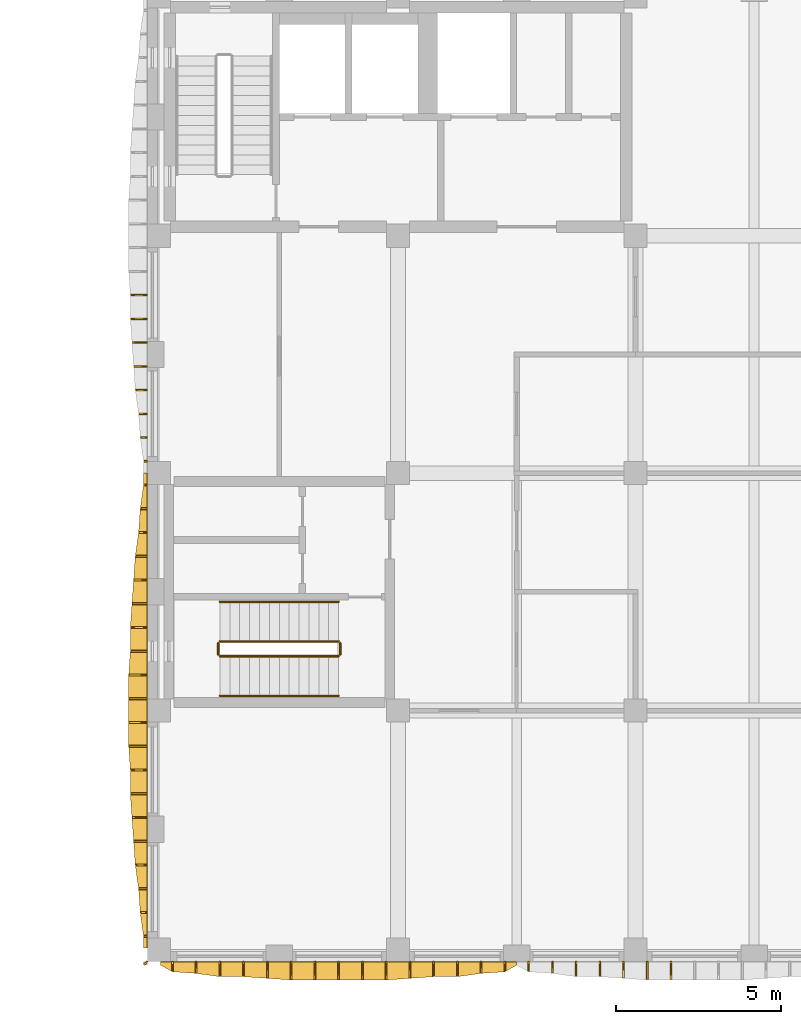
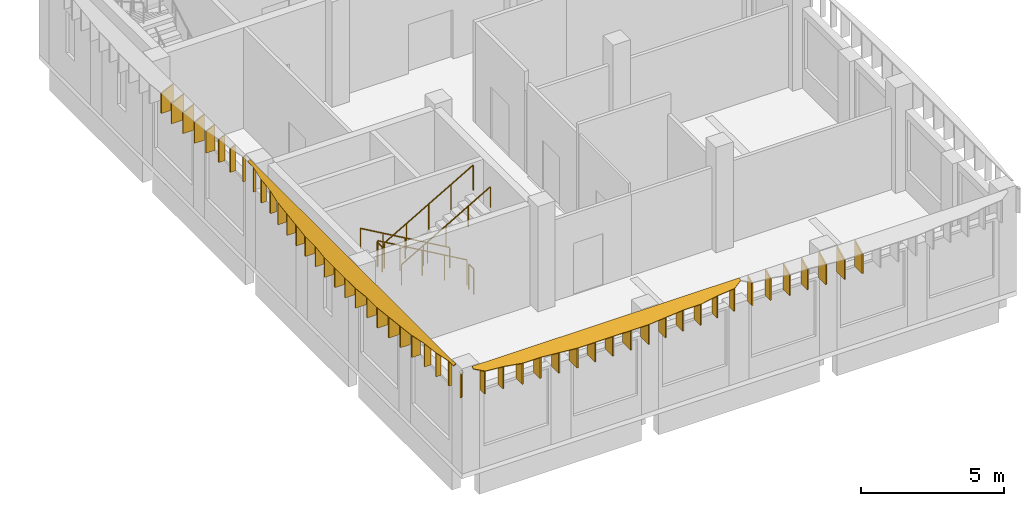
# One storey, part 20 of 38: 53 shading devices, 6 railings.
"""IFC4 building model written with IfcOpenShell, lengths in metres."""

import ifcopenshell
import ifcopenshell.guid

model = None  # the IFC model being written
_history = None  # IfcOwnerHistory: only IFC2X3 demands one
_inside = {}  # id of a spatial element -> (the spatial element, [elements in it])
_under = {}  # id of a project, library or spatial element -> (it, [spatial elements below it])
_declared = {}  # id of a project -> (the project, [libraries it declares])
_typed = {}  # id of a type object -> (the type object, [elements of that type])
_made_of = {}  # id of a material, layer set ... -> (it, [elements and type objects made of it])


def new_model(schema):
    """Start an empty IFC model of exactly this schema.

    Asked for "IFC4X3", IfcOpenShell would pick the latest addendum, in which some entities
    have other attributes; the version numbers below select the first issue.
    IFC2X3 requires an IfcOwnerHistory on every rooted entity: one is made here for all.
    """
    global model, _history
    if schema == "IFC4X3":
        model = ifcopenshell.file(schema_version=(4, 3, 0, 0))
    else:
        model = ifcopenshell.file(schema=schema)
    _inside.clear()
    _under.clear()
    _declared.clear()
    _typed.clear()
    _made_of.clear()
    _history = None
    if model.schema == "IFC2X3":
        org = make("IfcOrganization", Name="unknown")
        user = make(
            "IfcPersonAndOrganization",
            ThePerson=make("IfcPerson", FamilyName="unknown"),
            TheOrganization=org,
        )
        app = make(
            "IfcApplication",
            ApplicationDeveloper=org,
            Version="unknown",
            ApplicationFullName="unknown",
            ApplicationIdentifier="unknown",
        )
        _history = make(
            "IfcOwnerHistory",
            OwningUser=user,
            OwningApplication=app,
            ChangeAction="ADDED",
            CreationDate=0,
        )
    return model


def make(cls, **values):
    """One entity of the class cls with the attributes given. An attribute that is None is left unset."""
    return model.create_entity(
        cls, **{name: value for name, value in values.items() if value is not None}
    )


def rooted(cls, **values):
    """An entity with a GlobalId (a new one), such as an element, a storey or a relation."""
    return make(cls, GlobalId=ifcopenshell.guid.new(), OwnerHistory=_history, **values)


def si_unit(unit_type, name, prefix=None):
    """IfcSIUnit, for example si_unit("LENGTHUNIT", "METRE", prefix="MILLI")."""
    return make("IfcSIUnit", UnitType=unit_type, Prefix=prefix, Name=name)


def assignment(units):
    """IfcUnitAssignment: the units of a project."""
    return None if units is None else make("IfcUnitAssignment", Units=units)


def point(xyz):
    """IfcCartesianPoint."""
    return None if xyz is None else make("IfcCartesianPoint", Coordinates=xyz)


def direction(xyz):
    """IfcDirection."""
    return None if xyz is None else make("IfcDirection", DirectionRatios=xyz)


def frame(location, z_axis=None, x_axis=None):
    """IfcAxis2Placement3D, a coordinate frame: its origin and axes. An axis left out is left unset."""
    return make(
        "IfcAxis2Placement3D",
        Location=point(location),
        Axis=direction(z_axis),
        RefDirection=direction(x_axis),
    )


def frame_2d(location, x_axis=None):
    """IfcAxis2Placement2D, a coordinate frame in the plane: its origin and x axis."""
    return make(
        "IfcAxis2Placement2D", Location=point(location), RefDirection=direction(x_axis)
    )


def origin():
    """The frame at (0, 0, 0) with its axes left unset."""
    return frame((0.0, 0.0, 0.0))


def origin_2d():
    """The frame at (0, 0) in the plane with its x axis left unset."""
    return frame_2d((0.0, 0.0))


def place(relative_to, where):
    """IfcLocalPlacement: puts the frame where relative to a parent placement (None: the world)."""
    return make(
        "IfcLocalPlacement", PlacementRelTo=relative_to, RelativePlacement=where
    )


def context(
    kind, dimensions, precision=None, world=None, true_north=None, identifier=None
):
    """IfcGeometricRepresentationContext, for example the 3D "Model" context."""
    return make(
        "IfcGeometricRepresentationContext",
        ContextIdentifier=identifier,
        ContextType=kind,
        CoordinateSpaceDimension=dimensions,
        Precision=precision,
        WorldCoordinateSystem=world,
        TrueNorth=true_north,
    )


def subcontext(parent, identifier, kind, view, scale=None):
    """IfcGeometricRepresentationSubContext, for example "Body" below "Model"."""
    return make(
        "IfcGeometricRepresentationSubContext",
        ContextIdentifier=identifier,
        ContextType=kind,
        ParentContext=parent,
        TargetScale=scale,
        TargetView=view,
    )


def project(units=None, contexts=None):
    """IfcProject with its units and contexts."""
    return rooted(
        "IfcProject",
        Name="project",
        RepresentationContexts=contexts,
        UnitsInContext=assignment(units),
    )


def spatial(cls, under=None, at=None, **own):
    """A site, building, storey or space (cls), placed at a placement, below another one or the project."""
    s = rooted(cls, ObjectPlacement=at, **own)
    if under is not None:
        _under.setdefault(under.id(), (under, []))[1].append(s)
    return s


def polyline(points):
    """IfcPolyline through the points."""
    return make("IfcPolyline", Points=[point(p) for p in points])


def profile(cls, at=None, kind="AREA", **sizes):
    """A parametric profile (cls). Its sizes go by their IFC names, for example OverallWidth=200.0."""
    return make(cls, ProfileType=kind, Position=at, **sizes)


def circle(**sizes):
    """IfcCircleProfileDef."""
    return profile("IfcCircleProfileDef", **sizes)


def outline(outer, holes=None, kind="AREA"):
    """IfcArbitraryClosedProfileDef: a profile drawn as a closed curve; with holes, ...WithVoids."""
    if holes is None:
        return make("IfcArbitraryClosedProfileDef", ProfileType=kind, OuterCurve=outer)
    return make(
        "IfcArbitraryProfileDefWithVoids",
        ProfileType=kind,
        OuterCurve=outer,
        InnerCurves=holes,
    )


def extrude(swept, where, along, depth):
    """IfcExtrudedAreaSolid: the profile swept, set in the frame where, extruded along a direction by depth."""
    return make(
        "IfcExtrudedAreaSolid",
        SweptArea=swept,
        Position=where,
        ExtrudedDirection=direction(along),
        Depth=depth,
    )


def shape(context_of_items, identifier, shape_type, items):
    """IfcShapeRepresentation: the items that make up one representation, for example the "Body"."""
    return make(
        "IfcShapeRepresentation",
        ContextOfItems=context_of_items,
        RepresentationIdentifier=identifier,
        RepresentationType=shape_type,
        Items=items,
    )


def material(Name=None, Category=None):
    """IfcMaterial."""
    return make("IfcMaterial", Name=Name, Category=Category)


def layer(
    of_material, thickness, ventilated=None, Name=None, Category=None, Priority=None
):
    """IfcMaterialLayer: one layer of a wall or slab, of a material (None: an air gap)."""
    return make(
        "IfcMaterialLayer",
        Material=of_material,
        LayerThickness=thickness,
        IsVentilated=ventilated,
        Name=Name,
        Category=Category,
        Priority=Priority,
    )


def layer_set(layers, Name=None):
    """IfcMaterialLayerSet."""
    return make("IfcMaterialLayerSet", MaterialLayers=layers, LayerSetName=Name)


def made_of(thing, what):
    """Note that an element or type object is made of a material, layer set ...; save() writes the relation."""
    if what is not None:
        _made_of.setdefault(what.id(), (what, []))[1].append(thing)
    return thing


def type_object(cls, material=None, **own):
    """A type object (cls), such as IfcWallType, which elements share."""
    return made_of(rooted(cls, **own), material)


def element(
    cls,
    number,
    at=None,
    inside=None,
    cuts=None,
    type_object=None,
    material=None,
    context=None,
    identifier="Body",
    shape_type=None,
    held_by="IfcProductDefinitionShape",
    body=None,
    shapes=None,
    **own,
):
    """One element of the class cls, such as IfcWall. Its Tag is "e" and its number.

    at: its placement. inside: the storey or other place that contains it. cuts: it is an
    opening in that element (IfcRelVoidsElement). A single representation is given by context,
    identifier, shape_type and body (its items); several are given by shapes. held_by: the class
    of the entity that holds the representations. save() writes the other relations.
    """
    e = rooted(cls, Tag="e%d" % number, ObjectPlacement=at, **own)
    if body is not None:
        shapes = [shape(context, identifier, shape_type, body)]
    if shapes is not None:
        e.Representation = make(held_by, Representations=shapes)
    if inside is not None:
        _inside.setdefault(inside.id(), (inside, []))[1].append(e)
    if cuts is not None:
        rooted(
            "IfcRelVoidsElement", RelatingBuildingElement=cuts, RelatedOpeningElement=e
        )
    if type_object is not None:
        _typed.setdefault(type_object.id(), (type_object, []))[1].append(e)
    return made_of(e, material)


def aggregate(whole, parts):
    """IfcRelAggregates: a whole, such as a stair, and the parts it consists of."""
    return rooted("IfcRelAggregates", RelatingObject=whole, RelatedObjects=parts)


def save(model, path):
    """Write the relations noted so far, then the file.

    IfcRelAggregates (storeys below a building ...), IfcRelContainedInSpatialStructure (elements
    in a storey), IfcRelDefinesByType, IfcRelAssociatesMaterial and IfcRelDeclares: one each for
    every whole, place, type object, material and project.
    """
    for whole, parts in _under.values():
        aggregate(whole, parts)
    for where, things in _inside.values():
        rooted(
            "IfcRelContainedInSpatialStructure",
            RelatedElements=things,
            RelatingStructure=where,
        )
    for kind, things in _typed.values():
        rooted("IfcRelDefinesByType", RelatedObjects=things, RelatingType=kind)
    for what, things in _made_of.values():
        rooted("IfcRelAssociatesMaterial", RelatedObjects=things, RelatingMaterial=what)
    for by, libraries in _declared.values():
        rooted("IfcRelDeclares", RelatingContext=by, RelatedDefinitions=libraries)
    model.write(path)


model = new_model("IFC4")

# Units and contexts
model_context = context("Model", 3, precision=1e-05, world=origin(), true_north=direction((0.0, 1.0)))
body_context = subcontext(model_context, "Body", "Model", "MODEL_VIEW")
ifc_project = project(units=[si_unit("LENGTHUNIT", "METRE"), si_unit("AREAUNIT", "SQUARE_METRE"), si_unit("VOLUMEUNIT", "CUBIC_METRE"), si_unit("PLANEANGLEUNIT", "RADIAN"), si_unit("MASSUNIT", "GRAM", prefix="KILO")], contexts=[model_context])

# Site, building, storey
site_placement = place(None, origin())
site = spatial("IfcSite", under=ifc_project, at=site_placement, CompositionType="ELEMENT")
building_placement = place(site_placement, origin())
building = spatial("IfcBuilding", under=site, at=building_placement, Name="Ussher Court Research Institute", CompositionType="ELEMENT")
storey_placement = place(building_placement, frame((0.0, 0.0, 23.39990234375)))
storey = spatial("IfcBuildingStorey", under=building, at=storey_placement, Name="L05", CompositionType="ELEMENT", Elevation=23.39990234375)

# Shading devices
ifc_material_1 = material(Name="Bronze anodised aluminium", Category="aluminium")
ifc_layer_1 = layer(ifc_material_1, 0.050048828125)
ifc_layer_set_1 = layer_set([ifc_layer_1], Name="Bronze anodised aluminium")
shading_device_type_1 = type_object("IfcShadingDeviceType", Name="Brim blade 100 mm deep 1100 mm high canted 26 deg wet", PredefinedType="USERDEFINED", material=ifc_layer_set_1)
for number, where, z_axis, x_axis, name in (
    (1, (81.800048828125, 4.360107421875, 3.35009765625), (0.0, 0.0, 1.0), (-1.0, 0.0, 0.0), "Brim blade BS10 L05"),
    (2, (81.800048828125, 18.0400390625, 3.35009765625), (0.0, 0.0, 1.0), (-1.0, 0.0, 0.0), "Brim blade BS10 L05"),
    (3, (81.800048828125, 18.760009765625, 3.35009765625), (0.0, 0.0, 1.0), (-1.0, 0.0, 0.0), "Brim blade BS10 L05"),
):
    element("IfcShadingDevice", number, at=place(storey_placement, frame(where, z_axis=z_axis, x_axis=x_axis)), inside=storey, type_object=shading_device_type_1, Name=name, ObjectType="BLADE", PredefinedType="USERDEFINED", context=body_context, shape_type="SweptSolid", body=[
        extrude(outline(polyline([(0.0, 0.0), (0.10009765625, 0.0), (0.10009765625, 1.05126953125), (0.0, 1.10009765625), (0.0, 0.0)])), frame((0.0, 0.02490234375, 0.0), z_axis=(0.0, -1.0, 0.0), x_axis=(1.0, 0.0, 0.0)), (0.0, 0.0, 1.0), 0.050048828125),
    ])
ifc_material_2 = material(Name="Bronze anodised aluminium", Category="aluminium")
ifc_layer_2 = layer(ifc_material_2, 0.050048828125)
ifc_layer_set_2 = layer_set([ifc_layer_2], Name="Bronze anodised aluminium")
shading_device_type_2 = type_object("IfcShadingDeviceType", Name="Brim blade 200 mm deep 1100 mm high canted 26 deg wet", PredefinedType="USERDEFINED", material=ifc_layer_set_2)
for number, where, z_axis, x_axis, name in (
    (4, (81.800048828125, 5.080078125, 3.35009765625), (0.0, 0.0, 1.0), (-1.0, 0.0, 0.0), "Brim blade BS08 L05"),
    (5, (81.800048828125, 17.320068359375, 3.35009765625), (0.0, 0.0, 1.0), (-1.0, 0.0, 0.0), "Brim blade BS08 L05"),
    (6, (81.800048828125, 19.47998046875, 3.35009765625), (0.0, 0.0, 1.0), (-1.0, 0.0, 0.0), "Brim blade BS08 L05"),
):
    element("IfcShadingDevice", number, at=place(storey_placement, frame(where, z_axis=z_axis, x_axis=x_axis)), inside=storey, type_object=shading_device_type_2, Name=name, ObjectType="BLADE", PredefinedType="USERDEFINED", context=body_context, shape_type="SweptSolid", body=[
        extrude(outline(polyline([(0.0, 0.0), (0.199951171875, 0.0), (0.199951171875, 1.00244140625), (0.0, 1.10009765625), (0.0, 0.0)])), frame((0.0, 0.02490234375, 0.0), z_axis=(0.0, -1.0, 0.0), x_axis=(1.0, 0.0, 0.0)), (0.0, 0.0, 1.0), 0.050048828125),
    ])
ifc_material_3 = material(Name="Bronze anodised aluminium", Category="aluminium")
ifc_layer_3 = layer(ifc_material_3, 0.050048828125)
ifc_layer_set_3 = layer_set([ifc_layer_3], Name="Bronze anodised aluminium")
shading_device_type_3 = type_object("IfcShadingDeviceType", Name="Brim blade 250 mm deep 1100 mm high canted 26 deg wet", PredefinedType="USERDEFINED", material=ifc_layer_set_3)
for number, where, z_axis, x_axis, name in (
    (7, (81.800048828125, 5.800048828125, 3.35009765625), (0.0, 0.0, 1.0), (-1.0, 0.0, 0.0), "Brim blade BS07 L05"),
    (8, (81.800048828125, 16.60009765625, 3.35009765625), (0.0, 0.0, 1.0), (-1.0, 0.0, 0.0), "Brim blade BS07 L05"),
    (9, (81.800048828125, 20.199951171875, 3.35009765625), (0.0, 0.0, 1.0), (-1.0, 0.0, 0.0), "Brim blade BS07 L05"),
):
    element("IfcShadingDevice", number, at=place(storey_placement, frame(where, z_axis=z_axis, x_axis=x_axis)), inside=storey, type_object=shading_device_type_3, Name=name, ObjectType="BLADE", PredefinedType="USERDEFINED", context=body_context, shape_type="SweptSolid", body=[
        extrude(outline(polyline([(0.0, 0.0), (0.25, 0.0), (0.25, 0.97802734375), (0.0, 1.10009765625), (0.0, 0.0)])), frame((0.0, 0.02490234375, 0.0), z_axis=(0.0, -1.0, 0.0), x_axis=(1.0, 0.0, 0.0)), (0.0, 0.0, 1.0), 0.050048828125),
    ])
ifc_material_4 = material(Name="Bronze anodised aluminium", Category="aluminium")
ifc_layer_4 = layer(ifc_material_4, 0.050048828125)
ifc_layer_set_4 = layer_set([ifc_layer_4], Name="Bronze anodised aluminium")
shading_device_type_4 = type_object("IfcShadingDeviceType", Name="Brim blade 300 mm deep 1100 mm high canted 26 deg wet", PredefinedType="USERDEFINED", material=ifc_layer_set_4)
for number, where, z_axis, x_axis, name in (
    (10, (93.360107421875, 3.60009765625, 3.35009765625), (0.0, 0.0, 1.0), (0.0, -1.0, 0.0), "Brim blade BS06 L05"),
    (11, (92.639892578125, 3.60009765625, 3.35009765625), (0.0, 0.0, 1.0), (0.0, -1.0, 0.0), "Brim blade BS06 L05"),
    (12, (82.56005859375, 3.60009765625, 3.35009765625), (0.0, 0.0, 1.0), (0.0, -1.0, 0.0), "Brim blade BS06 L05"),
):
    element("IfcShadingDevice", number, at=place(storey_placement, frame(where, z_axis=z_axis, x_axis=x_axis)), inside=storey, type_object=shading_device_type_4, Name=name, ObjectType="BLADE", PredefinedType="USERDEFINED", context=body_context, shape_type="SweptSolid", body=[
        extrude(outline(polyline([(0.0, 0.0), (0.300048828125, 0.0), (0.300048828125, 0.95361328125), (0.0, 1.10009765625), (0.0, 0.0)])), frame((0.0, 0.02490234375, 0.0), z_axis=(0.0, -1.0, 0.0), x_axis=(1.0, 0.0, 0.0)), (0.0, 0.0, 1.0), 0.050048828125),
    ])
ifc_material_5 = material(Name="Bronze anodised aluminium", Category="aluminium")
ifc_layer_5 = layer(ifc_material_5, 0.050048828125)
ifc_layer_set_5 = layer_set([ifc_layer_5], Name="Bronze anodised aluminium")
shading_device_type_5 = type_object("IfcShadingDeviceType", Name="Brim blade 350 mm deep 1100 mm high canted 26 deg wet", PredefinedType="USERDEFINED", material=ifc_layer_set_5)
for number, where, z_axis, x_axis, name in (
    (13, (94.080078125, 3.60009765625, 3.35009765625), (0.0, 0.0, 1.0), (0.0, -1.0, 0.0), "Brim blade BS05 L05"),
    (14, (91.919921875, 3.60009765625, 3.35009765625), (0.0, 0.0, 1.0), (0.0, -1.0, 0.0), "Brim blade BS05 L05"),
    (15, (83.280029296875, 3.60009765625, 3.35009765625), (0.0, 0.0, 1.0), (0.0, -1.0, 0.0), "Brim blade BS05 L05"),
    (16, (81.800048828125, 6.52001953125, 3.35009765625), (0.0, 0.0, 1.0), (-1.0, 0.0, 0.0), "Brim blade BS05 L05"),
    (17, (81.800048828125, 15.8798828125, 3.35009765625), (0.0, 0.0, 1.0), (-1.0, 0.0, 0.0), "Brim blade BS05 L05"),
    (18, (81.800048828125, 20.919921875, 3.35009765625), (0.0, 0.0, 1.0), (-1.0, 0.0, 0.0), "Brim blade BS05 L05"),
):
    element("IfcShadingDevice", number, at=place(storey_placement, frame(where, z_axis=z_axis, x_axis=x_axis)), inside=storey, type_object=shading_device_type_5, Name=name, ObjectType="BLADE", PredefinedType="USERDEFINED", context=body_context, shape_type="SweptSolid", body=[
        extrude(outline(polyline([(0.0, 0.0), (0.35009765625, 0.0), (0.35009765625, 0.92919921875), (0.0, 1.10009765625), (0.0, 0.0)])), frame((0.0, 0.02490234375, 0.0), z_axis=(0.0, -1.0, 0.0), x_axis=(1.0, 0.0, 0.0)), (0.0, 0.0, 1.0), 0.050048828125),
    ])
ifc_material_6 = material(Name="Bronze anodised aluminium", Category="aluminium")
ifc_layer_6 = layer(ifc_material_6, 0.050048828125)
ifc_layer_set_6 = layer_set([ifc_layer_6], Name="Bronze anodised aluminium")
shading_device_type_6 = type_object("IfcShadingDeviceType", Name="Brim blade 400 mm deep 1100 mm high canted 26 deg wet", PredefinedType="USERDEFINED", material=ifc_layer_set_6)
for number, where, z_axis, x_axis, name in (
    (19, (81.800048828125, 7.239990234375, 3.35009765625), (0.0, 0.0, 1.0), (-1.0, 0.0, 0.0), "Brim blade BS04 L05"),
    (20, (81.800048828125, 15.159912109375, 3.35009765625), (0.0, 0.0, 1.0), (-1.0, 0.0, 0.0), "Brim blade BS04 L05"),
    (21, (81.800048828125, 21.639892578125, 3.35009765625), (0.0, 0.0, 1.0), (-1.0, 0.0, 0.0), "Brim blade BS04 L05"),
):
    element("IfcShadingDevice", number, at=place(storey_placement, frame(where, z_axis=z_axis, x_axis=x_axis)), inside=storey, type_object=shading_device_type_6, Name=name, ObjectType="BLADE", PredefinedType="USERDEFINED", context=body_context, shape_type="SweptSolid", body=[
        extrude(outline(polyline([(0.0, 0.0), (0.400146484375, 0.0), (0.39990234375, 0.90478515625), (0.0, 1.10009765625), (0.0, 0.0)])), frame((0.0, 0.02490234375, 0.0), z_axis=(0.0, -1.0, 0.0), x_axis=(1.0, 0.0, 0.0)), (0.0, 0.0, 1.0), 0.050048828125),
    ])
ifc_material_7 = material(Name="Bronze anodised aluminium", Category="aluminium")
ifc_layer_7 = layer(ifc_material_7, 0.050048828125)
ifc_layer_set_7 = layer_set([ifc_layer_7], Name="Bronze anodised aluminium")
shading_device_type_7 = type_object("IfcShadingDeviceType", Name="Brim blade 450 mm deep 1100 mm high canted 26 deg wet", PredefinedType="USERDEFINED", material=ifc_layer_set_7)
for number, where, z_axis, x_axis, name in (
    (22, (95.52001953125, 3.60009765625, 3.35009765625), (0.0, 0.0, 1.0), (0.0, -1.0, 0.0), "Brim blade BS03 L05"),
    (23, (94.800048828125, 3.60009765625, 3.35009765625), (0.0, 0.0, 1.0), (0.0, -1.0, 0.0), "Brim blade BS03 L05"),
    (24, (91.199951171875, 3.60009765625, 3.35009765625), (0.0, 0.0, 1.0), (0.0, -1.0, 0.0), "Brim blade BS03 L05"),
    (25, (90.47998046875, 3.60009765625, 3.35009765625), (0.0, 0.0, 1.0), (0.0, -1.0, 0.0), "Brim blade BS03 L05"),
    (26, (84.719970703125, 3.60009765625, 3.35009765625), (0.0, 0.0, 1.0), (0.0, -1.0, 0.0), "Brim blade BS03 L05"),
    (27, (84.0, 3.60009765625, 3.35009765625), (0.0, 0.0, 1.0), (0.0, -1.0, 0.0), "Brim blade BS03 L05"),
):
    element("IfcShadingDevice", number, at=place(storey_placement, frame(where, z_axis=z_axis, x_axis=x_axis)), inside=storey, type_object=shading_device_type_7, Name=name, ObjectType="BLADE", PredefinedType="USERDEFINED", context=body_context, shape_type="SweptSolid", body=[
        extrude(outline(polyline([(0.0, 0.0), (0.4501953125, 0.0), (0.449951171875, 0.880615234375), (0.0, 1.10009765625), (0.0, 0.0)])), frame((0.0, 0.02490234375, 0.0), z_axis=(0.0, -1.0, 0.0), x_axis=(1.0, 0.0, 0.0)), (0.0, 0.0, 1.0), 0.050048828125),
    ])
for number, where, z_axis, x_axis, name in (
    (28, (81.800048828125, 7.9599609375, 3.35009765625), (0.0, 0.0, 1.0), (-1.0, 0.0, 0.0), "Brim blade BS03 L05"),
    (29, (81.800048828125, 14.43994140625, 3.35009765625), (0.0, 0.0, 1.0), (-1.0, 0.0, 0.0), "Brim blade BS03 L05"),
    (30, (81.800048828125, 22.360107421875, 3.35009765625), (0.0, 0.0, 1.0), (-1.0, 0.0, 0.0), "Brim blade BS03 L05"),
):
    element("IfcShadingDevice", number, at=place(storey_placement, frame(where, z_axis=z_axis, x_axis=x_axis)), inside=storey, type_object=shading_device_type_7, Name=name, ObjectType="BLADE", PredefinedType="USERDEFINED", context=body_context, shape_type="SweptSolid", body=[
        extrude(outline(polyline([(0.0, 0.0), (0.449951171875, 0.0), (0.449951171875, 0.880615234375), (0.0, 1.10009765625), (0.0, 0.0)])), frame((0.0, 0.02490234375, 0.0), z_axis=(0.0, -1.0, 0.0), x_axis=(1.0, 0.0, 0.0)), (0.0, 0.0, 1.0), 0.050048828125),
    ])
ifc_material_8 = material(Name="Bronze anodised aluminium", Category="aluminium")
ifc_layer_8 = layer(ifc_material_8, 0.050048828125)
ifc_layer_set_8 = layer_set([ifc_layer_8], Name="Bronze anodised aluminium")
shading_device_type_8 = type_object("IfcShadingDeviceType", Name="Brim blade 500 mm deep 1100 mm high canted 26 deg wet", PredefinedType="USERDEFINED", material=ifc_layer_set_8)
for number, where, z_axis, x_axis, name in (
    (31, (96.239990234375, 3.60009765625, 3.35009765625), (0.0, 0.0, 1.0), (0.0, -1.0, 0.0), "Brim blade BS02 L05"),
    (32, (89.760009765625, 3.60009765625, 3.35009765625), (0.0, 0.0, 1.0), (0.0, -1.0, 0.0), "Brim blade BS02 L05"),
    (33, (85.43994140625, 3.60009765625, 3.35009765625), (0.0, 0.0, 1.0), (0.0, -1.0, 0.0), "Brim blade BS02 L05"),
    (34, (81.800048828125, 8.679931640625, 3.35009765625), (0.0, 0.0, 1.0), (-1.0, 0.0, 0.0), "Brim blade BS02 L05"),
    (35, (81.800048828125, 9.39990234375, 3.35009765625), (0.0, 0.0, 1.0), (-1.0, 0.0, 0.0), "Brim blade BS02 L05"),
    (36, (81.800048828125, 13.0, 3.35009765625), (0.0, 0.0, 1.0), (-1.0, 0.0, 0.0), "Brim blade BS02 L05"),
    (37, (81.800048828125, 13.719970703125, 3.35009765625), (0.0, 0.0, 1.0), (-1.0, 0.0, 0.0), "Brim blade BS02 L05"),
    (38, (81.800048828125, 23.080078125, 3.35009765625), (0.0, 0.0, 1.0), (-1.0, 0.0, 0.0), "Brim blade BS02 L05"),
    (39, (81.800048828125, 23.800048828125, 3.35009765625), (0.0, 0.0, 1.0), (-1.0, 0.0, 0.0), "Brim blade BS02 L05"),
):
    element("IfcShadingDevice", number, at=place(storey_placement, frame(where, z_axis=z_axis, x_axis=x_axis)), inside=storey, type_object=shading_device_type_8, Name=name, ObjectType="BLADE", PredefinedType="USERDEFINED", context=body_context, shape_type="SweptSolid", body=[
        extrude(outline(polyline([(0.0, 0.0), (0.5, 0.0), (0.5, 0.856201171875), (0.0, 1.10009765625), (0.0, 0.0)])), frame((0.0, 0.02490234375, 0.0), z_axis=(0.0, -1.0, 0.0), x_axis=(1.0, 0.0, 0.0)), (0.0, 0.0, 1.0), 0.050048828125),
    ])
ifc_material_9 = material(Name="Bronze anodised aluminium", Category="aluminium")
ifc_layer_9 = layer(ifc_material_9, 0.050048828125)
ifc_layer_set_9 = layer_set([ifc_layer_9], Name="Bronze anodised aluminium")
shading_device_type_9 = type_object("IfcShadingDeviceType", Name="Brim blade 550 mm deep 1100 mm high canted 26 deg wet", PredefinedType="USERDEFINED", material=ifc_layer_set_9)
for number, where, z_axis, x_axis, name in (
    (40, (97.679931640625, 3.60009765625, 3.35009765625), (0.0, 0.0, 1.0), (0.0, -1.0, 0.0), "Brim blade BS01 L05"),
    (41, (96.9599609375, 3.60009765625, 3.35009765625), (0.0, 0.0, 1.0), (0.0, -1.0, 0.0), "Brim blade BS01 L05"),
    (42, (89.0400390625, 3.60009765625, 3.35009765625), (0.0, 0.0, 1.0), (0.0, -1.0, 0.0), "Brim blade BS01 L05"),
    (43, (88.320068359375, 3.60009765625, 3.35009765625), (0.0, 0.0, 1.0), (0.0, -1.0, 0.0), "Brim blade BS01 L05"),
    (44, (87.60009765625, 3.60009765625, 3.35009765625), (0.0, 0.0, 1.0), (0.0, -1.0, 0.0), "Brim blade BS01 L05"),
    (45, (86.8798828125, 3.60009765625, 3.35009765625), (0.0, 0.0, 1.0), (0.0, -1.0, 0.0), "Brim blade BS01 L05"),
    (46, (86.159912109375, 3.60009765625, 3.35009765625), (0.0, 0.0, 1.0), (0.0, -1.0, 0.0), "Brim blade BS01 L05"),
    (47, (81.800048828125, 10.1201171875, 3.35009765625), (0.0, 0.0, 1.0), (-1.0, 0.0, 0.0), "Brim blade BS01 L05"),
    (48, (81.800048828125, 10.840087890625, 3.35009765625), (0.0, 0.0, 1.0), (-1.0, 0.0, 0.0), "Brim blade BS01 L05"),
    (49, (81.800048828125, 11.56005859375, 3.35009765625), (0.0, 0.0, 1.0), (-1.0, 0.0, 0.0), "Brim blade BS01 L05"),
    (50, (81.800048828125, 12.280029296875, 3.35009765625), (0.0, 0.0, 1.0), (-1.0, 0.0, 0.0), "Brim blade BS01 L05"),
):
    element("IfcShadingDevice", number, at=place(storey_placement, frame(where, z_axis=z_axis, x_axis=x_axis)), inside=storey, type_object=shading_device_type_9, Name=name, ObjectType="BLADE", PredefinedType="USERDEFINED", context=body_context, shape_type="SweptSolid", body=[
        extrude(outline(polyline([(0.0, 0.0), (0.550048828125, 0.0), (0.550048828125, 0.831787109375), (0.0, 1.10009765625), (0.0, 0.0)])), frame((0.0, 0.02490234375, 0.0), z_axis=(0.0, -1.0, 0.0), x_axis=(1.0, 0.0, 0.0)), (0.0, 0.0, 1.0), 0.050048828125),
    ])
ifc_material_10 = material(Name="Bronze anodised aluminium", Category="aluminium")
ifc_layer_10 = layer(ifc_material_10, 0.050048828125)
ifc_layer_set_10 = layer_set([ifc_layer_10], Name="Bronze anodised aluminium")
shading_device_type_10 = type_object("IfcShadingDeviceType", Name="Brim mitre blade 100 mm deep 1100 mm high canted 26 deg wet", PredefinedType="USERDEFINED", material=ifc_layer_set_10)
shading_device_1_placement = place(storey_placement, frame((81.800048828125, 3.60009765625, 3.35009765625), z_axis=(0.0, 0.0, 1.0), x_axis=(-0.707106781187, -0.707106781187, 0.0)))
element("IfcShadingDevice", 51, at=shading_device_1_placement, inside=storey, type_object=shading_device_type_10, Name="Brim mitre blade BS18 L05", ObjectType="BLADE", PredefinedType="USERDEFINED", context=body_context, shape_type="SweptSolid", body=[
    extrude(outline(polyline([(0.0, 0.0), (0.1416015625, 0.0), (0.141357421875, 1.00244140625), (0.0, 1.10009765625), (0.0, 0.0)])), frame((0.0, 0.02490234375, 0.0), z_axis=(0.0, -1.0, 0.0), x_axis=(1.0, 0.0, 0.0)), (0.0, 0.0, 1.0), 0.050048828125),
])
ifc_material_11 = material(Name="Bronze anodised aluminium", Category="aluminium")
ifc_layer_11 = layer(ifc_material_11, 0.0400390625)
ifc_layer_set_11 = layer_set([ifc_layer_11], Name="Bronze anodised aluminium")
shading_device_type_11 = type_object("IfcShadingDeviceType", Name="Brim visor sheet 40 mm canted 26 deg wet", PredefinedType="USERDEFINED", material=ifc_layer_set_11)
shading_device_2_placement = place(storey_placement, frame((93.0, 3.58251953125, 4.486083984375), z_axis=(0.0, -0.438461416816, 0.898750013054), x_axis=(-1.0, 0.0, 0.0)))
element("IfcShadingDevice", 52, at=shading_device_2_placement, inside=storey, type_object=shading_device_type_11, Name="Brim visor sheet BR1 L05", ObjectType="BRIM", PredefinedType="USERDEFINED", context=body_context, shape_type="SweptSolid", body=[
    extrude(outline(polyline([(0.0, 0.0), (10.800048828125, 0.0), (10.800048828125, 0.1113720187292832), (10.43994140625, 0.33389663479794396), (9.719970703125, 0.38958264416258553), (9.0, 0.5006281952576233), (8.280029296875, 0.5006281952576233), (7.56005859375, 0.5563142046222649), (6.840087890625, 0.6120002139869065), (6.1201171875, 0.6120002139869065), (5.39990234375, 0.6120002139869065), (4.679931640625, 0.6120002139869065), (3.9599609375, 0.6120002139869065), (3.239990234375, 0.5563142046222649), (2.52001953125, 0.5006281952576233), (1.800048828125, 0.5006281952576233), (1.080078125, 0.38958264416258553), (0.360107421875, 0.33389663479794396), (0.0, 0.1113720187292832), (0.0, 0.0)])), origin(), (0.0, 0.0, -1.0), 0.0400390625),
])
shading_device_3_placement = place(storey_placement, frame((81.782470703125, 4.0, 4.486083984375), z_axis=(-0.438529187419, 0.0, 0.898716947532), x_axis=(0.0, 1.0, 0.0)))
element("IfcShadingDevice", 53, at=shading_device_3_placement, inside=storey, type_object=shading_device_type_11, Name="Brim visor sheet BR1 L05", ObjectType="BRIM", PredefinedType="USERDEFINED", context=body_context, shape_type="SweptSolid", body=[
    extrude(outline(polyline([(0.0, 0.0), (14.39990234375, 0.0), (14.39990234375, 0.11115260474230423), (14.0400390625, 0.11115260474230423), (13.320068359375, 0.22252462280187707), (12.60009765625, 0.2782106318316635), (11.8798828125, 0.38936323657396776), (11.159912109375, 0.4449421828138569), (10.43994140625, 0.5006281918436433), (9.719970703125, 0.5563142008734296), (9.0, 0.5563142008734296), (8.280029296875, 0.6120002099032161), (7.56005859375, 0.6120002099032161), (6.840087890625, 0.6120002099032161), (6.1201171875, 0.6120002099032161), (5.39990234375, 0.5563142008734296), (4.679931640625, 0.5563142008734296), (3.9599609375, 0.5006281918436433), (3.239990234375, 0.4449421828138569), (2.52001953125, 0.38936323657396776), (1.800048828125, 0.2782106318316635), (1.080078125, 0.22252462280187707), (0.360107421875, 0.11115260474230423), (0.0, 0.11115260474230423), (0.0, 0.0)])), origin(), (0.0, 0.0, -1.0), 0.0400390625),
])

# Railings
ifc_material_12 = material(Name="Painted steel balustrade", Category="steel")
railing_type_1 = type_object("IfcRailingType", Name="Stair guard 1100 steel balustrade", PredefinedType="GUARDRAIL", material=ifc_material_12)
railing_1_placement = place(storey_placement, frame((87.60009765625, 13.300048828125, 0.173095703125)))
element("IfcRailing", 54, at=railing_1_placement, inside=storey, type_object=railing_type_1, Name="L05 T2 stair guard 1", PredefinedType="GUARDRAIL", context=body_context, shape_type="SweptSolid", body=[
    extrude(circle(Radius=0.02392578125, at=origin_2d()), frame((0.0, 0.0, 1.076171875), z_axis=(-0.866193409371, 0.0, 0.499708892819), x_axis=(0.0, -1.0, 0.0)), (0.0, 0.0, 1.0), 4.15625),
    extrude(circle(Radius=0.02099609375, at=origin_2d()), origin(), (0.0, 0.0, 1.0), 1.052001953125),
    extrude(circle(Radius=0.02099609375, at=origin_2d()), frame((-0.89990234375, 0.0, 0.519287109375)), (0.0, 0.0, 1.0), 1.052001953125),
    extrude(circle(Radius=0.02099609375, at=origin_2d()), frame((-1.800048828125, 0.0, 1.03857421875)), (0.0, 0.0, 1.0), 1.052001953125),
    extrude(circle(Radius=0.02099609375, at=origin_2d()), frame((-2.7001953125, 0.0, 1.5576171875)), (0.0, 0.0, 1.0), 1.052001953125),
    extrude(circle(Radius=0.02099609375, at=origin_2d()), frame((-3.60009765625, 0.0, 2.076904296875)), (0.0, 0.0, 1.0), 1.052001953125),
])
railing_2_placement = place(storey_placement, frame((83.949951171875, 13.25, 2.25)))
element("IfcRailing", 55, at=railing_2_placement, inside=storey, type_object=railing_type_1, Name="L05 T2 stair guard 2", PredefinedType="GUARDRAIL", context=body_context, shape_type="SweptSolid", body=[
    extrude(circle(Radius=0.02392578125, at=origin_2d()), frame((0.0, 0.0, 1.076171875), z_axis=(0.0, -1.0, 0.0), x_axis=(1.0, 0.0, 0.0)), (0.0, 0.0, 1.0), 0.35009765625),
    extrude(circle(Radius=0.02099609375, at=origin_2d()), origin(), (0.0, 0.0, 1.0), 1.052001953125),
    extrude(circle(Radius=0.02099609375, at=origin_2d()), frame((0.0, -0.35009765625, 0.0)), (0.0, 0.0, 1.0), 1.052001953125),
])
railing_3_placement = place(storey_placement, frame((84.0, 12.85009765625, 2.423095703125)))
element("IfcRailing", 56, at=railing_3_placement, inside=storey, type_object=railing_type_1, Name="L05 T2 stair guard 3", PredefinedType="GUARDRAIL", context=body_context, shape_type="SweptSolid", body=[
    extrude(circle(Radius=0.02392578125, at=origin_2d()), frame((0.0, 0.0, 1.076171875), z_axis=(0.866193409371, 0.0, 0.499708892819), x_axis=(0.0, 1.0, 0.0)), (0.0, 0.0, 1.0), 4.15625),
    extrude(circle(Radius=0.02099609375, at=origin_2d()), origin(), (0.0, 0.0, 1.0), 1.052001953125),
    extrude(circle(Radius=0.02099609375, at=origin_2d()), frame((0.89990234375, 0.0, 0.519287109375)), (0.0, 0.0, 1.0), 1.052001953125),
    extrude(circle(Radius=0.02099609375, at=origin_2d()), frame((1.800048828125, 0.0, 1.03857421875)), (0.0, 0.0, 1.0), 1.052001953125),
    extrude(circle(Radius=0.02099609375, at=origin_2d()), frame((2.7001953125, 0.0, 1.5576171875)), (0.0, 0.0, 1.0), 1.052001953125),
    extrude(circle(Radius=0.02099609375, at=origin_2d()), frame((3.60009765625, 0.0, 2.076904296875)), (0.0, 0.0, 1.0), 1.052001953125),
])
railing_4_placement = place(storey_placement, frame((87.64990234375, 13.25, 0.0)))
element("IfcRailing", 57, at=railing_4_placement, inside=storey, type_object=railing_type_1, Name="L05 T2 stair guard 4", PredefinedType="GUARDRAIL", context=body_context, shape_type="SweptSolid", body=[
    extrude(circle(Radius=0.02392578125, at=origin_2d()), frame((0.0, 0.0, 1.076171875), z_axis=(0.0, -1.0, 0.0), x_axis=(1.0, 0.0, 0.0)), (0.0, 0.0, 1.0), 0.35009765625),
    extrude(circle(Radius=0.02099609375, at=origin_2d()), origin(), (0.0, 0.0, 1.0), 1.052001953125),
    extrude(circle(Radius=0.02099609375, at=origin_2d()), frame((0.0, -0.35009765625, 0.0)), (0.0, 0.0, 1.0), 1.052001953125),
])
ifc_material_13 = material(Name="Painted steel handrail", Category="steel")
railing_type_2 = type_object("IfcRailingType", Name="Stair handrail 900 steel", PredefinedType="HANDRAIL", material=ifc_material_13)
railing_5_placement = place(storey_placement, frame((87.60009765625, 14.5, 0.173095703125)))
element("IfcRailing", 58, at=railing_5_placement, inside=storey, type_object=railing_type_2, Name="L05 T2 stair handrail 1", PredefinedType="HANDRAIL", context=body_context, shape_type="SweptSolid", body=[
    extrude(circle(Radius=0.02392578125, at=origin_2d()), frame((0.0, 0.0, 0.8759765625), z_axis=(-0.866193409371, 0.0, 0.499708892819), x_axis=(0.0, -1.0, 0.0)), (0.0, 0.0, 1.0), 4.15625),
    extrude(circle(Radius=0.02099609375, at=origin_2d()), origin(), (0.0, 0.0, 1.0), 0.851806640625),
    extrude(circle(Radius=0.02099609375, at=origin_2d()), frame((-0.89990234375, 0.0, 0.519287109375)), (0.0, 0.0, 1.0), 0.851806640625),
    extrude(circle(Radius=0.02099609375, at=origin_2d()), frame((-1.800048828125, 0.0, 1.03857421875)), (0.0, 0.0, 1.0), 0.851806640625),
    extrude(circle(Radius=0.02099609375, at=origin_2d()), frame((-2.7001953125, 0.0, 1.5576171875)), (0.0, 0.0, 1.0), 0.851806640625),
    extrude(circle(Radius=0.02099609375, at=origin_2d()), frame((-3.60009765625, 0.0, 2.076904296875)), (0.0, 0.0, 1.0), 0.851806640625),
])
railing_6_placement = place(storey_placement, frame((84.0, 11.64990234375, 2.423095703125)))
element("IfcRailing", 59, at=railing_6_placement, inside=storey, type_object=railing_type_2, Name="L05 T2 stair handrail 2", PredefinedType="HANDRAIL", context=body_context, shape_type="SweptSolid", body=[
    extrude(circle(Radius=0.02392578125, at=origin_2d()), frame((0.0, 0.0, 0.8759765625), z_axis=(0.866193409371, 0.0, 0.499708892819), x_axis=(0.0, 1.0, 0.0)), (0.0, 0.0, 1.0), 4.15625),
    extrude(circle(Radius=0.02099609375, at=origin_2d()), origin(), (0.0, 0.0, 1.0), 0.851806640625),
    extrude(circle(Radius=0.02099609375, at=origin_2d()), frame((0.89990234375, 0.0, 0.519287109375)), (0.0, 0.0, 1.0), 0.851806640625),
    extrude(circle(Radius=0.02099609375, at=origin_2d()), frame((1.800048828125, 0.0, 1.03857421875)), (0.0, 0.0, 1.0), 0.851806640625),
    extrude(circle(Radius=0.02099609375, at=origin_2d()), frame((2.7001953125, 0.0, 1.5576171875)), (0.0, 0.0, 1.0), 0.851806640625),
    extrude(circle(Radius=0.02099609375, at=origin_2d()), frame((3.60009765625, 0.0, 2.076904296875)), (0.0, 0.0, 1.0), 0.851806640625),
])

save(model, "model.ifc")
